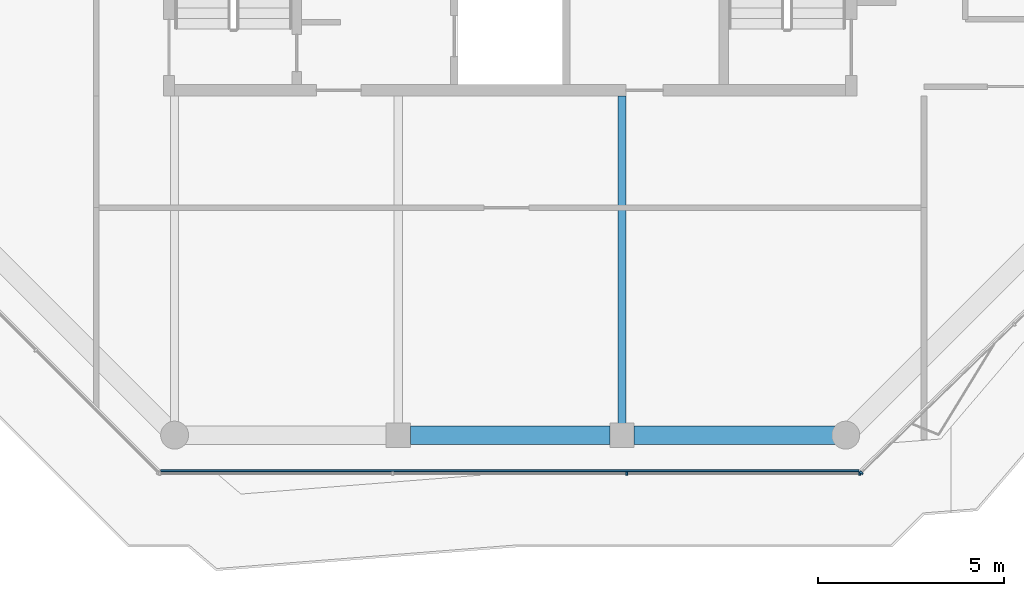
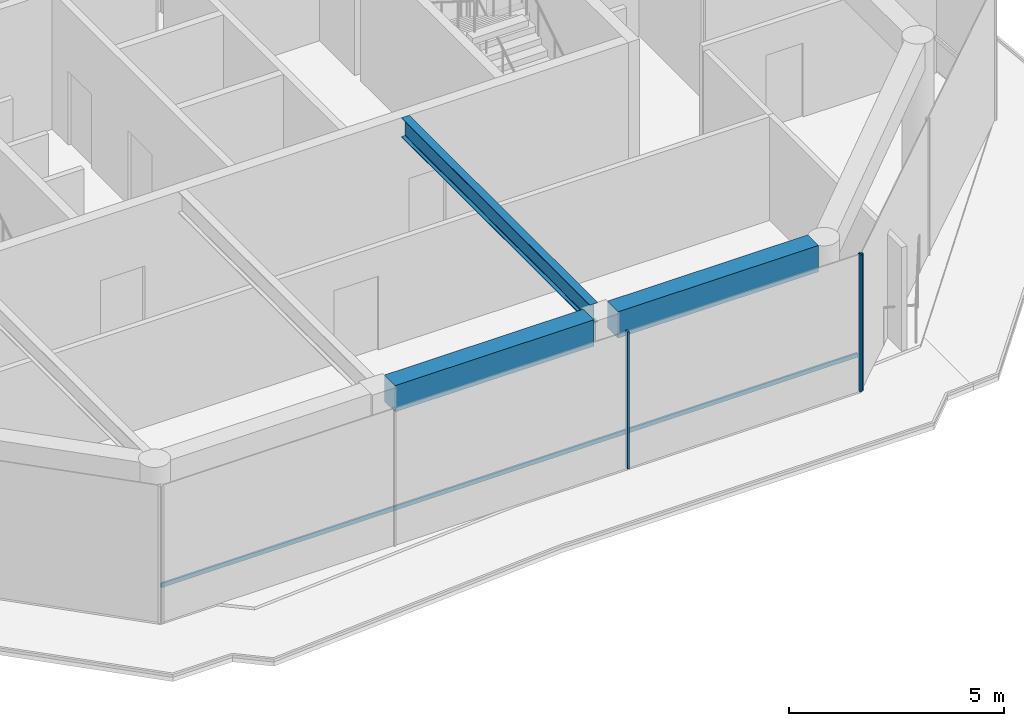
# One storey, part 3 of 20: 4 members, 3 beams, 2 elements without a shape of their own.
"""IFC4 building model written with IfcOpenShell, lengths in metres."""

from ifc_helpers import new_model, si_unit, direction, frame, origin, origin_2d, place, context, subcontext, project, spatial, rectangle, i_section, extrude, material, layer, layer_set, material_profile, profile_set, type_object, element, aggregate, save


model = new_model("IFC4")

# Units and contexts
model_context = context("Model", 3, precision=1e-05, world=origin(), true_north=direction((0.0, 1.0)))
body_context = subcontext(model_context, "Body", "Model", "MODEL_VIEW")
ifc_project = project(units=[si_unit("LENGTHUNIT", "METRE"), si_unit("AREAUNIT", "SQUARE_METRE"), si_unit("VOLUMEUNIT", "CUBIC_METRE"), si_unit("PLANEANGLEUNIT", "RADIAN"), si_unit("MASSUNIT", "GRAM", prefix="KILO")], contexts=[model_context])

# Site, building, storey
site_placement = place(None, origin())
site = spatial("IfcSite", under=ifc_project, at=site_placement, CompositionType="ELEMENT")
building_placement = place(site_placement, origin())
building = spatial("IfcBuilding", under=site, at=building_placement, Name="Welwitschia Terrace Campus", CompositionType="ELEMENT")
storey_placement = place(building_placement, frame((0.0, 0.0, 314.60009765625)))
storey = spatial("IfcBuildingStorey", under=building, at=storey_placement, Name="L70", CompositionType="ELEMENT", Elevation=314.60009765625)

# Beam
ifc_material_1 = material(Name="Steel S355", Category="steel")
ifc_material_profile_1 = material_profile(ifc_material_1, i_section(OverallWidth=0.2099609375, OverallDepth=0.550048828125, WebThickness=0.010986328125, FlangeThickness=0.01708984375, FilletRadius=0.02392578125, at=origin_2d()))
ifc_profile_set_1 = profile_set([ifc_material_profile_1], Name="Steel S355")
beam_type_1 = type_object("IfcBeamType", Name="Interior girder IPE 550", PredefinedType="BEAM", material=ifc_profile_set_1)
beam_1_placement = place(storey_placement, frame((18.0, -3.6845703125, 3.625), z_axis=(0.0, 1.0, 0.0), x_axis=(-1.0, 0.0, 0.0)))
element("IfcBeam", 1, at=beam_1_placement, inside=storey, type_object=beam_type_1, Name="Girder GB7", PredefinedType="BEAM", context=body_context, shape_type="SweptSolid", body=[
    extrude(i_section(OverallWidth=0.2099609375, OverallDepth=0.550048828125, WebThickness=0.010986328125, FlangeThickness=0.01708984375, FilletRadius=0.02392578125, at=origin_2d()), origin(), (0.0, 0.0, 1.0), 8.78369140625),
])

# Curtain wall, members
ifc_material_2 = material(Name="Bronze anodised aluminium", Category="aluminium")
ifc_layer = layer(ifc_material_2, 0.10009765625)
ifc_layer_set = layer_set([ifc_layer], Name="Bronze anodised aluminium")
curtain_wall_type = type_object("IfcCurtainWallType", Name="Curtain wall CW5 crown 6000", PredefinedType="NOTDEFINED", material=ifc_layer_set)
curtain_wall_1_placement = place(storey_placement, origin())
curtain_wall_1 = element("IfcCurtainWall", 2, at=curtain_wall_1_placement, inside=storey, type_object=curtain_wall_type, Name="CW L70.1.0", PredefinedType="NOTDEFINED")
ifc_material_3 = material(Name="Bronze anodised aluminium", Category="aluminium")
ifc_material_profile_2 = material_profile(ifc_material_3, rectangle(XDim=0.10009765625, YDim=0.050048828125, at=origin_2d()))
ifc_profile_set_2 = profile_set([ifc_material_profile_2], Name="Bronze anodised aluminium")
member_type_1 = type_object("IfcMemberType", Name="Mullion 50x100", PredefinedType="MULLION", material=ifc_profile_set_2)
member_1_placement = place(storey_placement, frame((18.127197265625, -5.030029296875, 0.0), z_axis=(0.0, 0.0, 1.0), x_axis=(0.0, 1.0, 0.0)))
member_1 = element("IfcMember", 3, at=member_1_placement, type_object=member_type_1, Name="Mullion L70.1.0.2", PredefinedType="MULLION", context=body_context, shape_type="SweptSolid", body=[
    extrude(rectangle(XDim=0.10009765625, YDim=0.050048828125, at=origin_2d()), origin(), (0.0, 0.0, 1.0), 3.89990234375),
])
member_2_placement = place(storey_placement, frame((24.37939453125, -5.030029296875, 0.0), z_axis=(0.0, 0.0, 1.0), x_axis=(0.0, 1.0, 0.0)))
member_2 = element("IfcMember", 4, at=member_2_placement, type_object=member_type_1, Name="Mullion L70.1.0.3", PredefinedType="MULLION", context=body_context, shape_type="SweptSolid", body=[
    extrude(rectangle(XDim=0.10009765625, YDim=0.050048828125, at=origin_2d()), origin(), (0.0, 0.0, 1.0), 3.89990234375),
])

# Curtain wall, member
curtain_wall_2_placement = place(storey_placement, origin())
curtain_wall_2 = element("IfcCurtainWall", 5, at=curtain_wall_2_placement, inside=storey, type_object=curtain_wall_type, Name="CW L70.2.0", PredefinedType="NOTDEFINED")
member_3_placement = place(storey_placement, frame((24.422119140625, -5.012451171875, 0.0), z_axis=(0.0, 0.0, 1.0), x_axis=(-0.697209979532, 0.716866964255, 0.0)))
member_3 = element("IfcMember", 6, at=member_3_placement, type_object=member_type_1, Name="Mullion L70.2.0.0", PredefinedType="MULLION", context=body_context, shape_type="SweptSolid", body=[
    extrude(rectangle(XDim=0.10009765625, YDim=0.050048828125, at=origin_2d()), origin(), (0.0, 0.0, 1.0), 3.89990234375),
])
aggregate(curtain_wall_2, [member_3])

# Beams
ifc_material_4 = material(Name="Concrete C40/50", Category="concrete")
ifc_material_profile_3 = material_profile(ifc_material_4, rectangle(XDim=0.5, YDim=0.75, at=origin_2d()))
ifc_profile_set_3 = profile_set([ifc_material_profile_3], Name="Concrete C40/50")
beam_type_2 = type_object("IfcBeamType", Name="Ring spandrel 500x750", PredefinedType="SPANDREL", material=ifc_profile_set_3)
beam_2_placement = place(storey_placement, frame((12.325439453125, -4.0, 3.52490234375), z_axis=(1.0, 0.0, 0.0), x_axis=(0.0, 1.0, 0.0)))
element("IfcBeam", 7, at=beam_2_placement, inside=storey, type_object=beam_type_2, Name="Spandrel SP5", PredefinedType="SPANDREL", context=body_context, shape_type="SweptSolid", body=[
    extrude(rectangle(XDim=0.5, YDim=0.75, at=origin_2d()), origin(), (0.0, 0.0, 1.0), 5.34912109375),
])
beam_3_placement = place(storey_placement, frame((18.325439453125, -4.0, 3.52490234375), z_axis=(1.0, 0.0, 0.0), x_axis=(0.0, 1.0, 0.0)))
element("IfcBeam", 8, at=beam_3_placement, inside=storey, type_object=beam_type_2, Name="Spandrel SP5", PredefinedType="SPANDREL", context=body_context, shape_type="SweptSolid", body=[
    extrude(rectangle(XDim=0.5, YDim=0.75, at=origin_2d()), origin(), (0.0, 0.0, 1.0), 5.39404296875),
])

# Member
ifc_material_5 = material(Name="Bronze anodised aluminium", Category="aluminium")
ifc_material_profile_4 = material_profile(ifc_material_5, rectangle(XDim=0.050048828125, YDim=0.1201171875, at=origin_2d()))
ifc_profile_set_4 = profile_set([ifc_material_profile_4], Name="Bronze anodised aluminium")
member_type_2 = type_object("IfcMemberType", Name="Transom 50x120", PredefinedType="USERDEFINED", material=ifc_profile_set_4)
member_4_placement = place(storey_placement, frame((5.623291015625, -4.955078125, 1.0), z_axis=(1.0, 0.0, 0.0), x_axis=(0.0, 1.0, 0.0)))
member_4 = element("IfcMember", 9, at=member_4_placement, type_object=member_type_2, Name="Transom L70.1.0", ObjectType="TRANSOM", PredefinedType="USERDEFINED", context=body_context, shape_type="SweptSolid", body=[
    extrude(rectangle(XDim=0.050048828125, YDim=0.1201171875, at=origin_2d()), origin(), (0.0, 0.0, 1.0), 18.73095703125),
])

aggregate(curtain_wall_1, [member_1, member_2, member_4])

save(model, "model.ifc")
